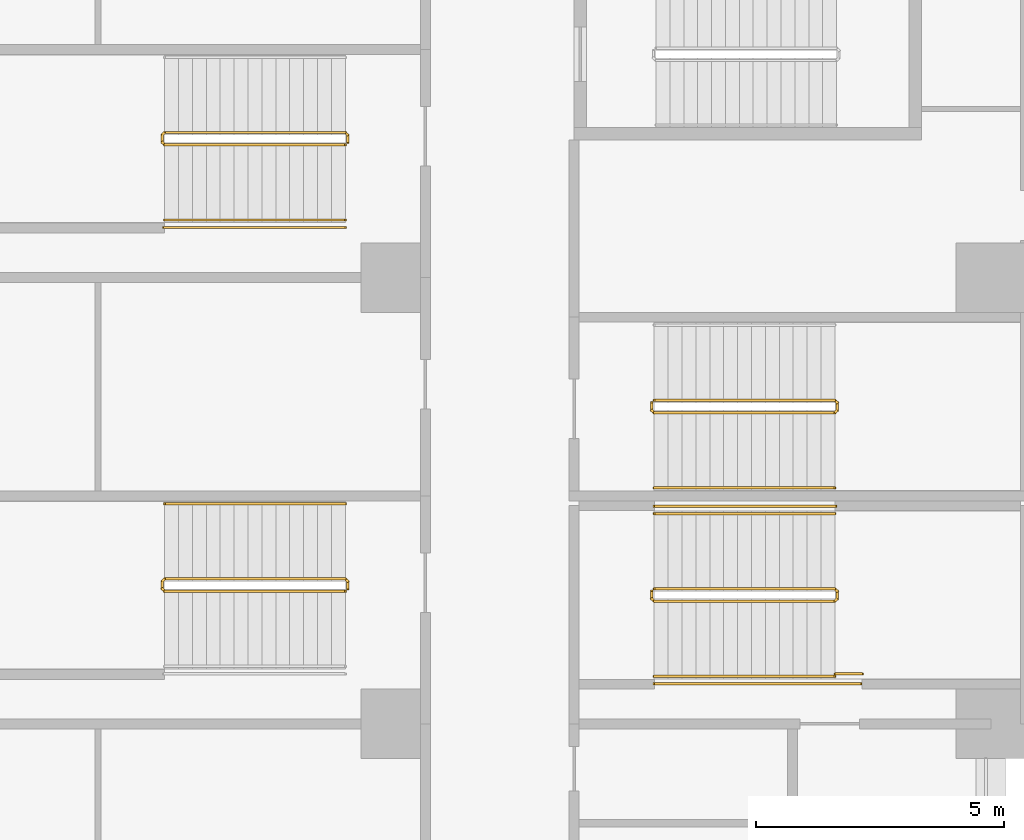
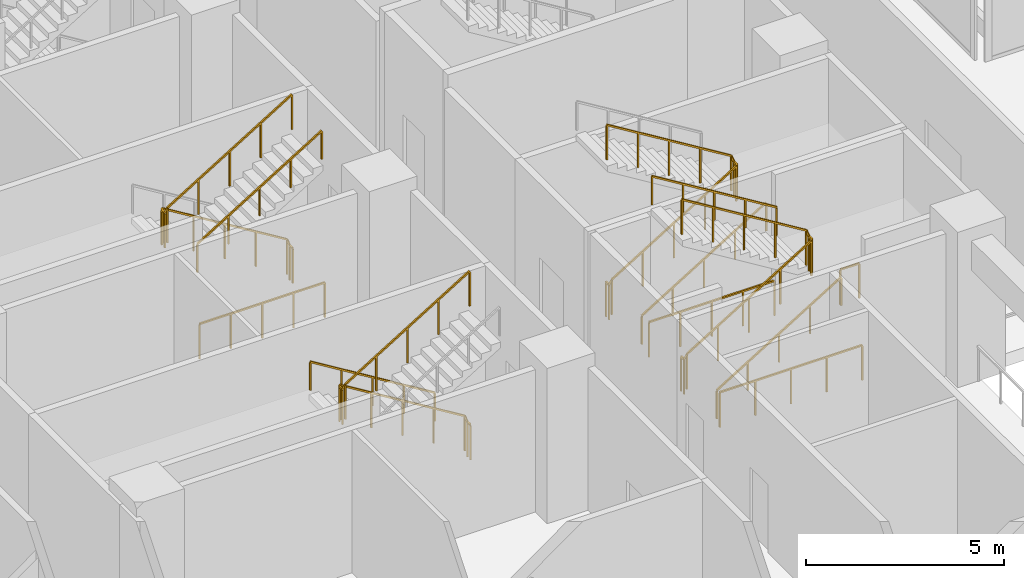
# One storey, part 23 of 25: 13 railings.
"""IFC4 building model written with IfcOpenShell, lengths in metres."""

from ifc_helpers import new_model, si_unit, direction, frame, origin, origin_2d, place, context, subcontext, project, spatial, rectangle, extrude, material, type_object, element, save


model = new_model("IFC4")

# Units and contexts
model_context = context("Model", 3, precision=1e-05, world=origin(), true_north=direction((0.0, 1.0)))
body_context = subcontext(model_context, "Body", "Model", "MODEL_VIEW")
ifc_project = project(units=[si_unit("LENGTHUNIT", "METRE"), si_unit("AREAUNIT", "SQUARE_METRE"), si_unit("VOLUMEUNIT", "CUBIC_METRE"), si_unit("PLANEANGLEUNIT", "RADIAN"), si_unit("MASSUNIT", "GRAM", prefix="KILO")], contexts=[model_context])

# Site, building, storey
site_placement = place(None, origin())
site = spatial("IfcSite", under=ifc_project, at=site_placement, CompositionType="ELEMENT")
building_placement = place(site_placement, origin())
building = spatial("IfcBuilding", under=site, at=building_placement, Name="Chenar Terraces", CompositionType="ELEMENT")
storey_placement = place(building_placement, frame((0.0, 0.0, 21.60009765625)))
storey = spatial("IfcBuildingStorey", under=building, at=storey_placement, Name="L04", CompositionType="ELEMENT", Elevation=21.60009765625)

# Railings
ifc_material_1 = material(Name="Powder-coated steel", Category="steel")
railing_type_1 = type_object("IfcRailingType", Name="Stair guard 1100", PredefinedType="GUARDRAIL", material=ifc_material_1)
railing_1_placement = place(storey_placement, frame((10.985107421875, 47.675048828125, 4.7998046875)))
element("IfcRailing", 1, at=railing_1_placement, inside=storey, type_object=railing_type_1, Name="L04 PS4 stair guard 1", PredefinedType="GUARDRAIL", context=body_context, shape_type="SweptSolid", body=[
    extrude(rectangle(XDim=0.048095703125, YDim=0.048095703125, at=origin_2d()), frame((0.0, 0.0, 1.076171875), z_axis=(-0.852865859571, 0.0, -0.52213008492), x_axis=(0.0, -1.0, 0.0)), (0.0, 0.0, 1.0), 4.26806640625),
    extrude(rectangle(XDim=0.048095703125, YDim=0.048095703125, at=origin_2d()), frame((-3.64013671875, 0.0, -1.15234375), z_axis=(-0.269911200495, 0.269911200495, -0.924281281696), x_axis=(-0.707106781187, -0.707106781187, 0.0)), (0.0, 0.0, 1.0), 0.185546875),
    extrude(rectangle(XDim=0.048095703125, YDim=0.048095703125, at=origin_2d()), frame((-3.690185546875, 0.050048828125, -1.32373046875), z_axis=(0.0, 1.0, 0.0), x_axis=(-1.0, 0.0, 0.0)), (0.0, 0.0, 1.0), 0.14990234375),
    extrude(rectangle(XDim=0.048095703125, YDim=0.048095703125, at=origin_2d()), frame((-3.690185546875, 0.199951171875, -1.32373046875), z_axis=(0.707106781187, 0.707106781187, 0.0), x_axis=(-0.707106781187, 0.707106781187, 0.0)), (0.0, 0.0, 1.0), 0.07080078125),
    extrude(rectangle(XDim=0.048095703125, YDim=0.048095703125, at=origin_2d()), frame((-3.64013671875, 0.25, -1.32373046875), z_axis=(0.852865859571, 0.0, -0.52213008492), x_axis=(0.0, 1.0, 0.0)), (0.0, 0.0, 1.0), 4.26806640625),
    extrude(rectangle(XDim=0.048095703125, YDim=0.048095703125, at=origin_2d()), frame((0.0, 0.25, -3.55224609375), z_axis=(0.268689830376, -0.270006937388, -0.924609122178), x_axis=(0.708833529934, 0.705375805398, 0.0)), (0.0, 0.0, 1.0), 0.185302734375),
    extrude(rectangle(XDim=0.048095703125, YDim=0.048095703125, at=origin_2d()), frame((0.0498046875, 0.199951171875, -3.7236328125), z_axis=(0.0, -1.0, 0.0), x_axis=(1.0, 0.0, 0.0)), (0.0, 0.0, 1.0), 0.14990234375),
    extrude(rectangle(XDim=0.0419921875, YDim=0.0419921875, at=origin_2d()), origin(), (0.0, 0.0, 1.0), 1.052001953125),
    extrude(rectangle(XDim=0.0419921875, YDim=0.0419921875, at=origin_2d()), frame((-0.91015625, 0.0, -0.55712890625)), (0.0, 0.0, 1.0), 1.052001953125),
    extrude(rectangle(XDim=0.0419921875, YDim=0.0419921875, at=origin_2d()), frame((-1.820068359375, 0.0, -1.1142578125)), (0.0, 0.0, 1.0), 1.052001953125),
    extrude(rectangle(XDim=0.0419921875, YDim=0.0419921875, at=origin_2d()), frame((-2.72998046875, 0.0, -1.67138671875)), (0.0, 0.0, 1.0), 1.052001953125),
    extrude(rectangle(XDim=0.0419921875, YDim=0.0419921875, at=origin_2d()), frame((-3.64013671875, 0.0, -2.228515625)), (0.0, 0.0, 1.0), 1.052001953125),
    extrude(rectangle(XDim=0.0419921875, YDim=0.0419921875, at=origin_2d()), frame((-3.690185546875, 0.050048828125, -2.39990234375)), (0.0, 0.0, 1.0), 1.052001953125),
    extrude(rectangle(XDim=0.0419921875, YDim=0.0419921875, at=origin_2d()), frame((-3.690185546875, 0.199951171875, -2.39990234375)), (0.0, 0.0, 1.0), 1.052001953125),
    extrude(rectangle(XDim=0.0419921875, YDim=0.0419921875, at=origin_2d()), frame((-3.64013671875, 0.25, -2.39990234375)), (0.0, 0.0, 1.0), 1.052001953125),
    extrude(rectangle(XDim=0.0419921875, YDim=0.0419921875, at=origin_2d()), frame((-2.72998046875, 0.25, -2.95703125)), (0.0, 0.0, 1.0), 1.052001953125),
    extrude(rectangle(XDim=0.0419921875, YDim=0.0419921875, at=origin_2d()), frame((-1.820068359375, 0.25, -3.51416015625)), (0.0, 0.0, 1.0), 1.052001953125),
    extrude(rectangle(XDim=0.0419921875, YDim=0.0419921875, at=origin_2d()), frame((-0.91015625, 0.25, -4.0712890625)), (0.0, 0.0, 1.0), 1.052001953125),
    extrude(rectangle(XDim=0.0419921875, YDim=0.0419921875, at=origin_2d()), frame((0.0, 0.25, -4.62841796875)), (0.0, 0.0, 1.0), 1.052001953125),
    extrude(rectangle(XDim=0.0419921875, YDim=0.0419921875, at=origin_2d()), frame((0.0498046875, 0.199951171875, -4.7998046875)), (0.0, 0.0, 1.0), 1.052001953125),
    extrude(rectangle(XDim=0.0419921875, YDim=0.0419921875, at=origin_2d()), frame((0.0498046875, 0.050048828125, -4.7998046875)), (0.0, 0.0, 1.0), 1.052001953125),
])
railing_2_placement = place(storey_placement, frame((17.215087890625, 38.72509765625, 4.7998046875)))
element("IfcRailing", 2, at=railing_2_placement, inside=storey, type_object=railing_type_1, Name="L04 PS7 stair guard 1", PredefinedType="GUARDRAIL", context=body_context, shape_type="SweptSolid", body=[
    extrude(rectangle(XDim=0.048095703125, YDim=0.048095703125, at=origin_2d()), frame((0.0, 0.0, 1.076171875), z_axis=(0.852850264322, 0.0, -0.5221555579), x_axis=(0.0, 1.0, 0.0)), (0.0, 0.0, 1.0), 4.267822265625),
    extrude(rectangle(XDim=0.048095703125, YDim=0.048095703125, at=origin_2d()), frame((3.639892578125, 0.0, -1.15234375), z_axis=(0.269911200495, -0.269911200495, -0.924281281696), x_axis=(0.707106781187, 0.707106781187, 0.0)), (0.0, 0.0, 1.0), 0.185546875),
    extrude(rectangle(XDim=0.048095703125, YDim=0.048095703125, at=origin_2d()), frame((3.68994140625, -0.050048828125, -1.32373046875), z_axis=(0.0, -1.0, 0.0), x_axis=(1.0, 0.0, 0.0)), (0.0, 0.0, 1.0), 0.150146484375),
    extrude(rectangle(XDim=0.048095703125, YDim=0.048095703125, at=origin_2d()), frame((3.68994140625, -0.2001953125, -1.32373046875), z_axis=(-0.708833529934, -0.705375805398, 0.0), x_axis=(0.705375805398, -0.708833529934, 0.0)), (0.0, 0.0, 1.0), 0.070556640625),
    extrude(rectangle(XDim=0.048095703125, YDim=0.048095703125, at=origin_2d()), frame((3.639892578125, -0.25, -1.32373046875), z_axis=(-0.852850264322, 0.0, -0.5221555579), x_axis=(0.0, -1.0, 0.0)), (0.0, 0.0, 1.0), 4.267822265625),
    extrude(rectangle(XDim=0.048095703125, YDim=0.048095703125, at=origin_2d()), frame((0.0, -0.25, -3.55224609375), z_axis=(-0.270006937388, 0.268689830376, -0.924609122178), x_axis=(-0.705375805398, -0.708833529934, 0.0)), (0.0, 0.0, 1.0), 0.185302734375),
    extrude(rectangle(XDim=0.048095703125, YDim=0.048095703125, at=origin_2d()), frame((-0.050048828125, -0.2001953125, -3.7236328125), z_axis=(0.0, 1.0, 0.0), x_axis=(-1.0, 0.0, 0.0)), (0.0, 0.0, 1.0), 0.150146484375),
    extrude(rectangle(XDim=0.0419921875, YDim=0.0419921875, at=origin_2d()), origin(), (0.0, 0.0, 1.0), 1.052001953125),
    extrude(rectangle(XDim=0.0419921875, YDim=0.0419921875, at=origin_2d()), frame((0.909912109375, 0.0, -0.55712890625)), (0.0, 0.0, 1.0), 1.052001953125),
    extrude(rectangle(XDim=0.0419921875, YDim=0.0419921875, at=origin_2d()), frame((1.81982421875, 0.0, -1.1142578125)), (0.0, 0.0, 1.0), 1.052001953125),
    extrude(rectangle(XDim=0.0419921875, YDim=0.0419921875, at=origin_2d()), frame((2.72998046875, 0.0, -1.67138671875)), (0.0, 0.0, 1.0), 1.052001953125),
    extrude(rectangle(XDim=0.0419921875, YDim=0.0419921875, at=origin_2d()), frame((3.639892578125, 0.0, -2.228515625)), (0.0, 0.0, 1.0), 1.052001953125),
    extrude(rectangle(XDim=0.0419921875, YDim=0.0419921875, at=origin_2d()), frame((3.68994140625, -0.050048828125, -2.39990234375)), (0.0, 0.0, 1.0), 1.052001953125),
    extrude(rectangle(XDim=0.0419921875, YDim=0.0419921875, at=origin_2d()), frame((3.68994140625, -0.2001953125, -2.39990234375)), (0.0, 0.0, 1.0), 1.052001953125),
    extrude(rectangle(XDim=0.0419921875, YDim=0.0419921875, at=origin_2d()), frame((3.639892578125, -0.25, -2.39990234375)), (0.0, 0.0, 1.0), 1.052001953125),
    extrude(rectangle(XDim=0.0419921875, YDim=0.0419921875, at=origin_2d()), frame((2.72998046875, -0.25, -2.95703125)), (0.0, 0.0, 1.0), 1.052001953125),
    extrude(rectangle(XDim=0.0419921875, YDim=0.0419921875, at=origin_2d()), frame((1.81982421875, -0.25, -3.51416015625)), (0.0, 0.0, 1.0), 1.052001953125),
    extrude(rectangle(XDim=0.0419921875, YDim=0.0419921875, at=origin_2d()), frame((0.909912109375, -0.25, -4.0712890625)), (0.0, 0.0, 1.0), 1.052001953125),
    extrude(rectangle(XDim=0.0419921875, YDim=0.0419921875, at=origin_2d()), frame((0.0, -0.25, -4.62841796875)), (0.0, 0.0, 1.0), 1.052001953125),
    extrude(rectangle(XDim=0.0419921875, YDim=0.0419921875, at=origin_2d()), frame((-0.050048828125, -0.2001953125, -4.7998046875)), (0.0, 0.0, 1.0), 1.052001953125),
    extrude(rectangle(XDim=0.0419921875, YDim=0.0419921875, at=origin_2d()), frame((-0.050048828125, -0.050048828125, -4.7998046875)), (0.0, 0.0, 1.0), 1.052001953125),
])
railing_3_placement = place(storey_placement, frame((17.215087890625, 42.52490234375, 4.7998046875)))
element("IfcRailing", 3, at=railing_3_placement, inside=storey, type_object=railing_type_1, Name="L04 PS8 stair guard 1", PredefinedType="GUARDRAIL", context=body_context, shape_type="SweptSolid", body=[
    extrude(rectangle(XDim=0.048095703125, YDim=0.048095703125, at=origin_2d()), frame((0.0, 0.0, 1.076171875), z_axis=(0.852850264322, 0.0, -0.5221555579), x_axis=(0.0, 1.0, 0.0)), (0.0, 0.0, 1.0), 4.267822265625),
    extrude(rectangle(XDim=0.048095703125, YDim=0.048095703125, at=origin_2d()), frame((3.639892578125, 0.0, -1.15234375), z_axis=(0.270006937388, -0.268689830376, -0.924609122178), x_axis=(0.705375805398, 0.708833529934, 0.0)), (0.0, 0.0, 1.0), 0.185302734375),
    extrude(rectangle(XDim=0.048095703125, YDim=0.048095703125, at=origin_2d()), frame((3.68994140625, -0.0498046875, -1.32373046875), z_axis=(0.0, -1.0, 0.0), x_axis=(1.0, 0.0, 0.0)), (0.0, 0.0, 1.0), 0.150146484375),
    extrude(rectangle(XDim=0.048095703125, YDim=0.048095703125, at=origin_2d()), frame((3.68994140625, -0.199951171875, -1.32373046875), z_axis=(-0.707106781187, -0.707106781187, 0.0), x_axis=(0.707106781187, -0.707106781187, 0.0)), (0.0, 0.0, 1.0), 0.07080078125),
    extrude(rectangle(XDim=0.048095703125, YDim=0.048095703125, at=origin_2d()), frame((3.639892578125, -0.25, -1.32373046875), z_axis=(-0.852850264322, 0.0, -0.5221555579), x_axis=(0.0, -1.0, 0.0)), (0.0, 0.0, 1.0), 4.267822265625),
    extrude(rectangle(XDim=0.048095703125, YDim=0.048095703125, at=origin_2d()), frame((0.0, -0.25, -3.55224609375), z_axis=(-0.269911200495, 0.269911200495, -0.924281281696), x_axis=(-0.707106781187, -0.707106781187, 0.0)), (0.0, 0.0, 1.0), 0.185546875),
    extrude(rectangle(XDim=0.048095703125, YDim=0.048095703125, at=origin_2d()), frame((-0.050048828125, -0.199951171875, -3.7236328125), z_axis=(0.0, 1.0, 0.0), x_axis=(-1.0, 0.0, 0.0)), (0.0, 0.0, 1.0), 0.150146484375),
    extrude(rectangle(XDim=0.0419921875, YDim=0.0419921875, at=origin_2d()), origin(), (0.0, 0.0, 1.0), 1.052001953125),
    extrude(rectangle(XDim=0.0419921875, YDim=0.0419921875, at=origin_2d()), frame((0.909912109375, 0.0, -0.55712890625)), (0.0, 0.0, 1.0), 1.052001953125),
    extrude(rectangle(XDim=0.0419921875, YDim=0.0419921875, at=origin_2d()), frame((1.81982421875, 0.0, -1.1142578125)), (0.0, 0.0, 1.0), 1.052001953125),
    extrude(rectangle(XDim=0.0419921875, YDim=0.0419921875, at=origin_2d()), frame((2.72998046875, 0.0, -1.67138671875)), (0.0, 0.0, 1.0), 1.052001953125),
    extrude(rectangle(XDim=0.0419921875, YDim=0.0419921875, at=origin_2d()), frame((3.639892578125, 0.0, -2.228515625)), (0.0, 0.0, 1.0), 1.052001953125),
    extrude(rectangle(XDim=0.0419921875, YDim=0.0419921875, at=origin_2d()), frame((3.68994140625, -0.0498046875, -2.39990234375)), (0.0, 0.0, 1.0), 1.052001953125),
    extrude(rectangle(XDim=0.0419921875, YDim=0.0419921875, at=origin_2d()), frame((3.68994140625, -0.199951171875, -2.39990234375)), (0.0, 0.0, 1.0), 1.052001953125),
    extrude(rectangle(XDim=0.0419921875, YDim=0.0419921875, at=origin_2d()), frame((3.639892578125, -0.25, -2.39990234375)), (0.0, 0.0, 1.0), 1.052001953125),
    extrude(rectangle(XDim=0.0419921875, YDim=0.0419921875, at=origin_2d()), frame((2.72998046875, -0.25, -2.95703125)), (0.0, 0.0, 1.0), 1.052001953125),
    extrude(rectangle(XDim=0.0419921875, YDim=0.0419921875, at=origin_2d()), frame((1.81982421875, -0.25, -3.51416015625)), (0.0, 0.0, 1.0), 1.052001953125),
    extrude(rectangle(XDim=0.0419921875, YDim=0.0419921875, at=origin_2d()), frame((0.909912109375, -0.25, -4.0712890625)), (0.0, 0.0, 1.0), 1.052001953125),
    extrude(rectangle(XDim=0.0419921875, YDim=0.0419921875, at=origin_2d()), frame((0.0, -0.25, -4.62841796875)), (0.0, 0.0, 1.0), 1.052001953125),
    extrude(rectangle(XDim=0.0419921875, YDim=0.0419921875, at=origin_2d()), frame((-0.050048828125, -0.199951171875, -4.7998046875)), (0.0, 0.0, 1.0), 1.052001953125),
    extrude(rectangle(XDim=0.0419921875, YDim=0.0419921875, at=origin_2d()), frame((-0.050048828125, -0.0498046875, -4.7998046875)), (0.0, 0.0, 1.0), 1.052001953125),
])
railing_4_placement = place(storey_placement, frame((10.985107421875, 38.675048828125, 4.7998046875)))
element("IfcRailing", 4, at=railing_4_placement, inside=storey, type_object=railing_type_1, Name="L04 PS9 stair guard 1", PredefinedType="GUARDRAIL", context=body_context, shape_type="SweptSolid", body=[
    extrude(rectangle(XDim=0.048095703125, YDim=0.048095703125, at=origin_2d()), frame((0.0, 0.0, 1.076171875), z_axis=(-0.852865859571, 0.0, -0.52213008492), x_axis=(0.0, -1.0, 0.0)), (0.0, 0.0, 1.0), 4.26806640625),
    extrude(rectangle(XDim=0.048095703125, YDim=0.048095703125, at=origin_2d()), frame((-3.64013671875, 0.0, -1.15234375), z_axis=(-0.269911200495, 0.269911200495, -0.924281281696), x_axis=(-0.707106781187, -0.707106781187, 0.0)), (0.0, 0.0, 1.0), 0.185546875),
    extrude(rectangle(XDim=0.048095703125, YDim=0.048095703125, at=origin_2d()), frame((-3.690185546875, 0.050048828125, -1.32373046875), z_axis=(0.0, 1.0, 0.0), x_axis=(-1.0, 0.0, 0.0)), (0.0, 0.0, 1.0), 0.14990234375),
    extrude(rectangle(XDim=0.048095703125, YDim=0.048095703125, at=origin_2d()), frame((-3.690185546875, 0.199951171875, -1.32373046875), z_axis=(0.707106781187, 0.707106781187, 0.0), x_axis=(-0.707106781187, 0.707106781187, 0.0)), (0.0, 0.0, 1.0), 0.07080078125),
    extrude(rectangle(XDim=0.048095703125, YDim=0.048095703125, at=origin_2d()), frame((-3.64013671875, 0.25, -1.32373046875), z_axis=(0.852865859571, 0.0, -0.52213008492), x_axis=(0.0, 1.0, 0.0)), (0.0, 0.0, 1.0), 4.26806640625),
    extrude(rectangle(XDim=0.048095703125, YDim=0.048095703125, at=origin_2d()), frame((0.0, 0.25, -3.55224609375), z_axis=(0.268689830376, -0.270006937388, -0.924609122178), x_axis=(0.708833529934, 0.705375805398, 0.0)), (0.0, 0.0, 1.0), 0.185302734375),
    extrude(rectangle(XDim=0.048095703125, YDim=0.048095703125, at=origin_2d()), frame((0.0498046875, 0.199951171875, -3.7236328125), z_axis=(0.0, -1.0, 0.0), x_axis=(1.0, 0.0, 0.0)), (0.0, 0.0, 1.0), 0.14990234375),
    extrude(rectangle(XDim=0.0419921875, YDim=0.0419921875, at=origin_2d()), origin(), (0.0, 0.0, 1.0), 1.052001953125),
    extrude(rectangle(XDim=0.0419921875, YDim=0.0419921875, at=origin_2d()), frame((-0.91015625, 0.0, -0.55712890625)), (0.0, 0.0, 1.0), 1.052001953125),
    extrude(rectangle(XDim=0.0419921875, YDim=0.0419921875, at=origin_2d()), frame((-1.820068359375, 0.0, -1.1142578125)), (0.0, 0.0, 1.0), 1.052001953125),
    extrude(rectangle(XDim=0.0419921875, YDim=0.0419921875, at=origin_2d()), frame((-2.72998046875, 0.0, -1.67138671875)), (0.0, 0.0, 1.0), 1.052001953125),
    extrude(rectangle(XDim=0.0419921875, YDim=0.0419921875, at=origin_2d()), frame((-3.64013671875, 0.0, -2.228515625)), (0.0, 0.0, 1.0), 1.052001953125),
    extrude(rectangle(XDim=0.0419921875, YDim=0.0419921875, at=origin_2d()), frame((-3.690185546875, 0.050048828125, -2.39990234375)), (0.0, 0.0, 1.0), 1.052001953125),
    extrude(rectangle(XDim=0.0419921875, YDim=0.0419921875, at=origin_2d()), frame((-3.690185546875, 0.199951171875, -2.39990234375)), (0.0, 0.0, 1.0), 1.052001953125),
    extrude(rectangle(XDim=0.0419921875, YDim=0.0419921875, at=origin_2d()), frame((-3.64013671875, 0.25, -2.39990234375)), (0.0, 0.0, 1.0), 1.052001953125),
    extrude(rectangle(XDim=0.0419921875, YDim=0.0419921875, at=origin_2d()), frame((-2.72998046875, 0.25, -2.95703125)), (0.0, 0.0, 1.0), 1.052001953125),
    extrude(rectangle(XDim=0.0419921875, YDim=0.0419921875, at=origin_2d()), frame((-1.820068359375, 0.25, -3.51416015625)), (0.0, 0.0, 1.0), 1.052001953125),
    extrude(rectangle(XDim=0.0419921875, YDim=0.0419921875, at=origin_2d()), frame((-0.91015625, 0.25, -4.0712890625)), (0.0, 0.0, 1.0), 1.052001953125),
    extrude(rectangle(XDim=0.0419921875, YDim=0.0419921875, at=origin_2d()), frame((0.0, 0.25, -4.62841796875)), (0.0, 0.0, 1.0), 1.052001953125),
    extrude(rectangle(XDim=0.0419921875, YDim=0.0419921875, at=origin_2d()), frame((0.0498046875, 0.199951171875, -4.7998046875)), (0.0, 0.0, 1.0), 1.052001953125),
    extrude(rectangle(XDim=0.0419921875, YDim=0.0419921875, at=origin_2d()), frame((0.0498046875, 0.050048828125, -4.7998046875)), (0.0, 0.0, 1.0), 1.052001953125),
])
railing_5_placement = place(storey_placement, frame((7.32421875, 46.010009765625, 0.0)))
element("IfcRailing", 5, at=railing_5_placement, inside=storey, type_object=railing_type_1, Name="L04 PS4 stair guard 101", PredefinedType="GUARDRAIL", context=body_context, shape_type="SweptSolid", body=[
    extrude(rectangle(XDim=0.048095703125, YDim=0.048095703125, at=origin_2d()), frame((0.0, 0.0, 1.076171875), z_axis=(1.0, 0.0, 0.0), x_axis=(0.0, 1.0, 0.0)), (0.0, 0.0, 1.0), 3.660888671875),
    extrude(rectangle(XDim=0.0419921875, YDim=0.0419921875, at=origin_2d()), origin(), (0.0, 0.0, 1.0), 1.052001953125),
    extrude(rectangle(XDim=0.0419921875, YDim=0.0419921875, at=origin_2d()), frame((0.915283203125, 0.0, 0.0)), (0.0, 0.0, 1.0), 1.052001953125),
    extrude(rectangle(XDim=0.0419921875, YDim=0.0419921875, at=origin_2d()), frame((1.83056640625, 0.0, 0.0)), (0.0, 0.0, 1.0), 1.052001953125),
    extrude(rectangle(XDim=0.0419921875, YDim=0.0419921875, at=origin_2d()), frame((2.74560546875, 0.0, 0.0)), (0.0, 0.0, 1.0), 1.052001953125),
    extrude(rectangle(XDim=0.0419921875, YDim=0.0419921875, at=origin_2d()), frame((3.660888671875, 0.0, 0.0)), (0.0, 0.0, 1.0), 1.052001953125),
])
railing_6_placement = place(storey_placement, frame((17.215087890625, 36.81005859375, 0.0)))
element("IfcRailing", 6, at=railing_6_placement, inside=storey, type_object=railing_type_1, Name="L04 PS7 stair guard 101", PredefinedType="GUARDRAIL", context=body_context, shape_type="SweptSolid", body=[
    extrude(rectangle(XDim=0.048095703125, YDim=0.048095703125, at=origin_2d()), frame((0.0, 0.0, 1.076171875), z_axis=(1.0, 0.0, 0.0), x_axis=(0.0, 1.0, 0.0)), (0.0, 0.0, 1.0), 4.169189453125),
    extrude(rectangle(XDim=0.0419921875, YDim=0.0419921875, at=origin_2d()), origin(), (0.0, 0.0, 1.0), 1.052001953125),
    extrude(rectangle(XDim=0.0419921875, YDim=0.0419921875, at=origin_2d()), frame((1.042236328125, 0.0, 0.0)), (0.0, 0.0, 1.0), 1.052001953125),
    extrude(rectangle(XDim=0.0419921875, YDim=0.0419921875, at=origin_2d()), frame((2.08447265625, 0.0, 0.0)), (0.0, 0.0, 1.0), 1.052001953125),
    extrude(rectangle(XDim=0.0419921875, YDim=0.0419921875, at=origin_2d()), frame((3.126953125, 0.0, 0.0)), (0.0, 0.0, 1.0), 1.052001953125),
    extrude(rectangle(XDim=0.0419921875, YDim=0.0419921875, at=origin_2d()), frame((4.169189453125, 0.0, 0.0)), (0.0, 0.0, 1.0), 1.052001953125),
])
railing_7_placement = place(storey_placement, frame((20.8818359375, 40.389892578125, 0.0)))
element("IfcRailing", 7, at=railing_7_placement, inside=storey, type_object=railing_type_1, Name="L04 PS7 stair guard 102", PredefinedType="GUARDRAIL", context=body_context, shape_type="SweptSolid", body=[
    extrude(rectangle(XDim=0.048095703125, YDim=0.048095703125, at=origin_2d()), frame((0.0, 0.0, 1.076171875), z_axis=(-1.0, 0.0, 0.0), x_axis=(0.0, -1.0, 0.0)), (0.0, 0.0, 1.0), 3.666748046875),
    extrude(rectangle(XDim=0.0419921875, YDim=0.0419921875, at=origin_2d()), origin(), (0.0, 0.0, 1.0), 1.052001953125),
    extrude(rectangle(XDim=0.0419921875, YDim=0.0419921875, at=origin_2d()), frame((-0.916748046875, 0.0, 0.0)), (0.0, 0.0, 1.0), 1.052001953125),
    extrude(rectangle(XDim=0.0419921875, YDim=0.0419921875, at=origin_2d()), frame((-1.83349609375, 0.0, 0.0)), (0.0, 0.0, 1.0), 1.052001953125),
    extrude(rectangle(XDim=0.0419921875, YDim=0.0419921875, at=origin_2d()), frame((-2.75, 0.0, 0.0)), (0.0, 0.0, 1.0), 1.052001953125),
    extrude(rectangle(XDim=0.0419921875, YDim=0.0419921875, at=origin_2d()), frame((-3.666748046875, 0.0, 0.0)), (0.0, 0.0, 1.0), 1.052001953125),
])
railing_8_placement = place(storey_placement, frame((20.85498046875, 37.010009765625, 2.39990234375)))
element("IfcRailing", 8, at=railing_8_placement, inside=storey, type_object=railing_type_1, Name="L04 PS7 stair guard 201", PredefinedType="GUARDRAIL", context=body_context, shape_type="SweptSolid", body=[
    extrude(rectangle(XDim=0.048095703125, YDim=0.048095703125, at=origin_2d()), frame((0.0, 0.0, 1.076171875), z_axis=(1.0, 0.0, 0.0), x_axis=(0.0, 1.0, 0.0)), (0.0, 0.0, 1.0), 0.555908203125),
    extrude(rectangle(XDim=0.0419921875, YDim=0.0419921875, at=origin_2d()), origin(), (0.0, 0.0, 1.0), 1.052001953125),
    extrude(rectangle(XDim=0.0419921875, YDim=0.0419921875, at=origin_2d()), frame((0.555908203125, 0.0, 0.0)), (0.0, 0.0, 1.0), 1.052001953125),
])
ifc_material_2 = material(Name="Powder-coated steel", Category="steel")
railing_type_2 = type_object("IfcRailingType", Name="Stair handrail 900", PredefinedType="HANDRAIL", material=ifc_material_2)
railing_9_placement = place(storey_placement, frame((7.344970703125, 46.159912109375, 2.5712890625)))
element("IfcRailing", 9, at=railing_9_placement, inside=storey, type_object=railing_type_2, Name="L04 PS4 stair handrail 2", PredefinedType="HANDRAIL", context=body_context, shape_type="SweptSolid", body=[
    extrude(rectangle(XDim=0.048095703125, YDim=0.048095703125, at=origin_2d()), frame((0.0, 0.0, 0.8759765625), z_axis=(0.852865859571, 0.0, 0.52213008492), x_axis=(0.0, 1.0, 0.0)), (0.0, 0.0, 1.0), 4.26806640625),
    extrude(rectangle(XDim=0.0419921875, YDim=0.0419921875, at=origin_2d()), origin(), (0.0, 0.0, 1.0), 0.851806640625),
    extrude(rectangle(XDim=0.0419921875, YDim=0.0419921875, at=origin_2d()), frame((0.91015625, 0.0, 0.55712890625)), (0.0, 0.0, 1.0), 0.851806640625),
    extrude(rectangle(XDim=0.0419921875, YDim=0.0419921875, at=origin_2d()), frame((1.820068359375, 0.0, 1.1142578125)), (0.0, 0.0, 1.0), 0.851806640625),
    extrude(rectangle(XDim=0.0419921875, YDim=0.0419921875, at=origin_2d()), frame((2.72998046875, 0.0, 1.67138671875)), (0.0, 0.0, 1.0), 0.851806640625),
    extrude(rectangle(XDim=0.0419921875, YDim=0.0419921875, at=origin_2d()), frame((3.64013671875, 0.0, 2.228515625)), (0.0, 0.0, 1.0), 0.851806640625),
])
railing_10_placement = place(storey_placement, frame((17.215087890625, 36.9599609375, 0.17138671875)))
element("IfcRailing", 10, at=railing_10_placement, inside=storey, type_object=railing_type_2, Name="L04 PS7 stair handrail 1", PredefinedType="HANDRAIL", context=body_context, shape_type="SweptSolid", body=[
    extrude(rectangle(XDim=0.048095703125, YDim=0.048095703125, at=origin_2d()), frame((0.0, 0.0, 0.8759765625), z_axis=(0.852850264322, 0.0, 0.5221555579), x_axis=(0.0, 1.0, 0.0)), (0.0, 0.0, 1.0), 4.267822265625),
    extrude(rectangle(XDim=0.0419921875, YDim=0.0419921875, at=origin_2d()), origin(), (0.0, 0.0, 1.0), 0.851806640625),
    extrude(rectangle(XDim=0.0419921875, YDim=0.0419921875, at=origin_2d()), frame((0.909912109375, 0.0, 0.55712890625)), (0.0, 0.0, 1.0), 0.851806640625),
    extrude(rectangle(XDim=0.0419921875, YDim=0.0419921875, at=origin_2d()), frame((1.81982421875, 0.0, 1.1142578125)), (0.0, 0.0, 1.0), 0.851806640625),
    extrude(rectangle(XDim=0.0419921875, YDim=0.0419921875, at=origin_2d()), frame((2.72998046875, 0.0, 1.67138671875)), (0.0, 0.0, 1.0), 0.851806640625),
    extrude(rectangle(XDim=0.0419921875, YDim=0.0419921875, at=origin_2d()), frame((3.639892578125, 0.0, 2.228515625)), (0.0, 0.0, 1.0), 0.851806640625),
])
railing_11_placement = place(storey_placement, frame((20.85498046875, 40.239990234375, 2.5712890625)))
element("IfcRailing", 11, at=railing_11_placement, inside=storey, type_object=railing_type_2, Name="L04 PS7 stair handrail 2", PredefinedType="HANDRAIL", context=body_context, shape_type="SweptSolid", body=[
    extrude(rectangle(XDim=0.048095703125, YDim=0.048095703125, at=origin_2d()), frame((0.0, 0.0, 0.8759765625), z_axis=(-0.852850264322, 0.0, 0.5221555579), x_axis=(0.0, -1.0, 0.0)), (0.0, 0.0, 1.0), 4.267822265625),
    extrude(rectangle(XDim=0.0419921875, YDim=0.0419921875, at=origin_2d()), origin(), (0.0, 0.0, 1.0), 0.851806640625),
    extrude(rectangle(XDim=0.0419921875, YDim=0.0419921875, at=origin_2d()), frame((-0.909912109375, 0.0, 0.55712890625)), (0.0, 0.0, 1.0), 0.851806640625),
    extrude(rectangle(XDim=0.0419921875, YDim=0.0419921875, at=origin_2d()), frame((-1.81982421875, 0.0, 1.1142578125)), (0.0, 0.0, 1.0), 0.851806640625),
    extrude(rectangle(XDim=0.0419921875, YDim=0.0419921875, at=origin_2d()), frame((-2.72998046875, 0.0, 1.67138671875)), (0.0, 0.0, 1.0), 0.851806640625),
    extrude(rectangle(XDim=0.0419921875, YDim=0.0419921875, at=origin_2d()), frame((-3.639892578125, 0.0, 2.228515625)), (0.0, 0.0, 1.0), 0.851806640625),
])
railing_12_placement = place(storey_placement, frame((17.215087890625, 40.760009765625, 0.17138671875)))
element("IfcRailing", 12, at=railing_12_placement, inside=storey, type_object=railing_type_2, Name="L04 PS8 stair handrail 1", PredefinedType="HANDRAIL", context=body_context, shape_type="SweptSolid", body=[
    extrude(rectangle(XDim=0.048095703125, YDim=0.048095703125, at=origin_2d()), frame((0.0, 0.0, 0.8759765625), z_axis=(0.852850264322, 0.0, 0.5221555579), x_axis=(0.0, 1.0, 0.0)), (0.0, 0.0, 1.0), 4.267822265625),
    extrude(rectangle(XDim=0.0419921875, YDim=0.0419921875, at=origin_2d()), origin(), (0.0, 0.0, 1.0), 0.851806640625),
    extrude(rectangle(XDim=0.0419921875, YDim=0.0419921875, at=origin_2d()), frame((0.909912109375, 0.0, 0.55712890625)), (0.0, 0.0, 1.0), 0.851806640625),
    extrude(rectangle(XDim=0.0419921875, YDim=0.0419921875, at=origin_2d()), frame((1.81982421875, 0.0, 1.1142578125)), (0.0, 0.0, 1.0), 0.851806640625),
    extrude(rectangle(XDim=0.0419921875, YDim=0.0419921875, at=origin_2d()), frame((2.72998046875, 0.0, 1.67138671875)), (0.0, 0.0, 1.0), 0.851806640625),
    extrude(rectangle(XDim=0.0419921875, YDim=0.0419921875, at=origin_2d()), frame((3.639892578125, 0.0, 2.228515625)), (0.0, 0.0, 1.0), 0.851806640625),
])
railing_13_placement = place(storey_placement, frame((10.985107421875, 40.43994140625, 0.17138671875)))
element("IfcRailing", 13, at=railing_13_placement, inside=storey, type_object=railing_type_2, Name="L04 PS9 stair handrail 1", PredefinedType="HANDRAIL", context=body_context, shape_type="SweptSolid", body=[
    extrude(rectangle(XDim=0.048095703125, YDim=0.048095703125, at=origin_2d()), frame((0.0, 0.0, 0.8759765625), z_axis=(-0.852865859571, 0.0, 0.52213008492), x_axis=(0.0, -1.0, 0.0)), (0.0, 0.0, 1.0), 4.26806640625),
    extrude(rectangle(XDim=0.0419921875, YDim=0.0419921875, at=origin_2d()), origin(), (0.0, 0.0, 1.0), 0.851806640625),
    extrude(rectangle(XDim=0.0419921875, YDim=0.0419921875, at=origin_2d()), frame((-0.91015625, 0.0, 0.55712890625)), (0.0, 0.0, 1.0), 0.851806640625),
    extrude(rectangle(XDim=0.0419921875, YDim=0.0419921875, at=origin_2d()), frame((-1.820068359375, 0.0, 1.1142578125)), (0.0, 0.0, 1.0), 0.851806640625),
    extrude(rectangle(XDim=0.0419921875, YDim=0.0419921875, at=origin_2d()), frame((-2.72998046875, 0.0, 1.67138671875)), (0.0, 0.0, 1.0), 0.851806640625),
    extrude(rectangle(XDim=0.0419921875, YDim=0.0419921875, at=origin_2d()), frame((-3.64013671875, 0.0, 2.228515625)), (0.0, 0.0, 1.0), 0.851806640625),
])

save(model, "model.ifc")
